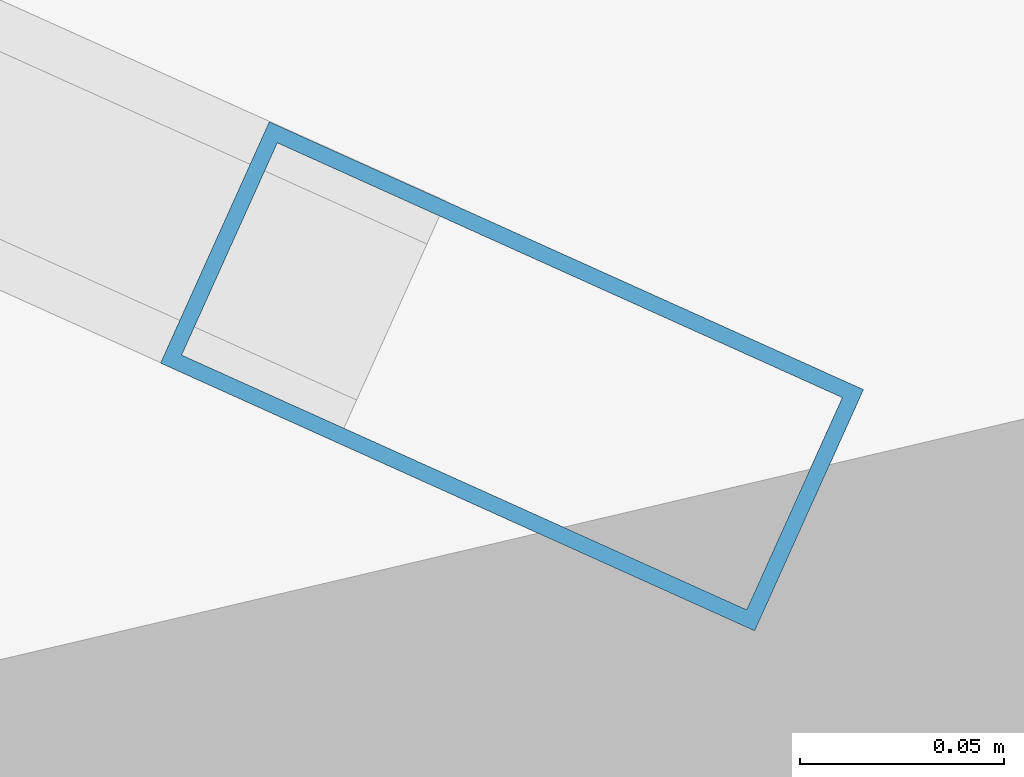
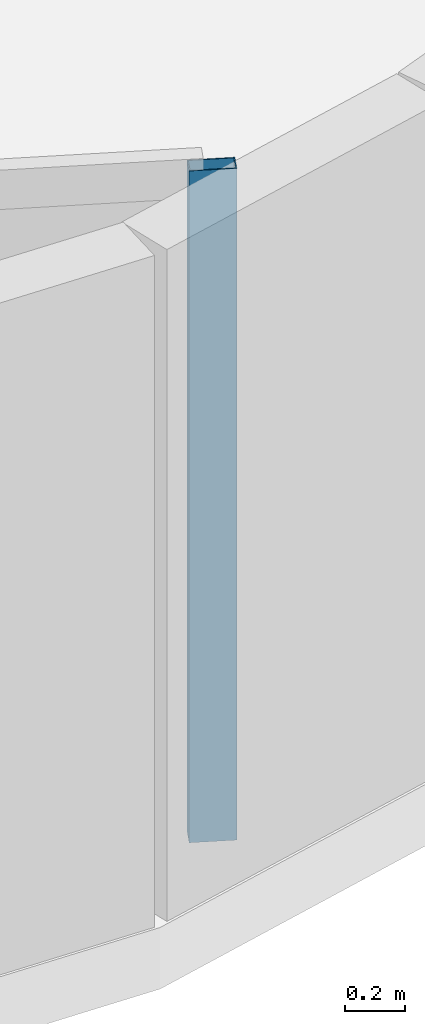
# One storey, part 5 of 23: 1 member, 1 element without a shape of its own.
"""IFC4 building model written with IfcOpenShell, lengths in metres."""

from ifc_helpers import new_model, si_unit, direction, frame, origin, origin_2d, place, context, subcontext, project, spatial, hollow_rectangle, extrude, material, layer, layer_set, material_profile, profile_set, type_object, element, aggregate, save


model = new_model("IFC4")

# Units and contexts
model_context = context("Model", 3, precision=1e-05, world=origin(), true_north=direction((0.0, 1.0)))
body_context = subcontext(model_context, "Body", "Model", "MODEL_VIEW")
ifc_project = project(units=[si_unit("LENGTHUNIT", "METRE"), si_unit("AREAUNIT", "SQUARE_METRE"), si_unit("VOLUMEUNIT", "CUBIC_METRE"), si_unit("PLANEANGLEUNIT", "RADIAN"), si_unit("MASSUNIT", "GRAM", prefix="KILO")], contexts=[model_context])

# Site, building, storey
site_placement = place(None, origin())
site = spatial("IfcSite", under=ifc_project, at=site_placement, CompositionType="ELEMENT")
building_placement = place(site_placement, origin())
building = spatial("IfcBuilding", under=site, at=building_placement, Name="Varnelok Gate Tower", CompositionType="ELEMENT")
storey_placement = place(building_placement, frame((0.0, 0.0, 227.5)))
storey = spatial("IfcBuildingStorey", under=building, at=storey_placement, Name="L58", CompositionType="ELEMENT", Elevation=227.5)

# Curtain wall, member
ifc_material = material(Name="Anodized Aluminum Alloy 6063-T6", Category="aluminium")
ifc_layer = layer(ifc_material, 0.179931640625)
ifc_layer_set = layer_set([ifc_layer], Name="Anodized Aluminum Alloy 6063-T6")
curtain_wall_type = type_object("IfcCurtainWallType", Name="CW5-WINDCORNER-GLAZ", PredefinedType="USERDEFINED", material=ifc_layer_set)
curtain_wall_placement = place(storey_placement, origin())
curtain_wall = element("IfcCurtainWall", 1, at=curtain_wall_placement, inside=storey, type_object=curtain_wall_type, Name="L58 Wind-Shaped Corner Curtain Wall SW", ObjectType="STRUCTURAL GLAZING", PredefinedType="USERDEFINED")
ifc_material_profile = material_profile(ifc_material, hollow_rectangle(XDim=0.06494140625, YDim=0.159912109375, WallThickness=0.00390625, at=origin_2d()), Name="ALU160X65X4")
ifc_profile_set = profile_set([ifc_material_profile], Name="Anodized Aluminum Alloy 6063-T6")
member_type = type_object("IfcMemberType", Name="CW-MULL-160", PredefinedType="MULLION", material=ifc_profile_set)
member_placement = place(storey_placement, frame((19.35888671875, -3.839599609375, 0.0), z_axis=(0.0, 0.0, 1.0), x_axis=(0.410939058285, 0.911662816164, 0.0)))
member = element("IfcMember", 2, at=member_placement, type_object=member_type, Name="CW5 mullion 2", PredefinedType="MULLION", context=body_context, shape_type="SweptSolid", body=[
    extrude(hollow_rectangle(XDim=0.06494140625, YDim=0.159912109375, WallThickness=0.00390625, at=origin_2d()), origin(), (0.0, 0.0, 1.0), 2.72998046875),
])
aggregate(curtain_wall, [member])

save(model, "model.ifc")
